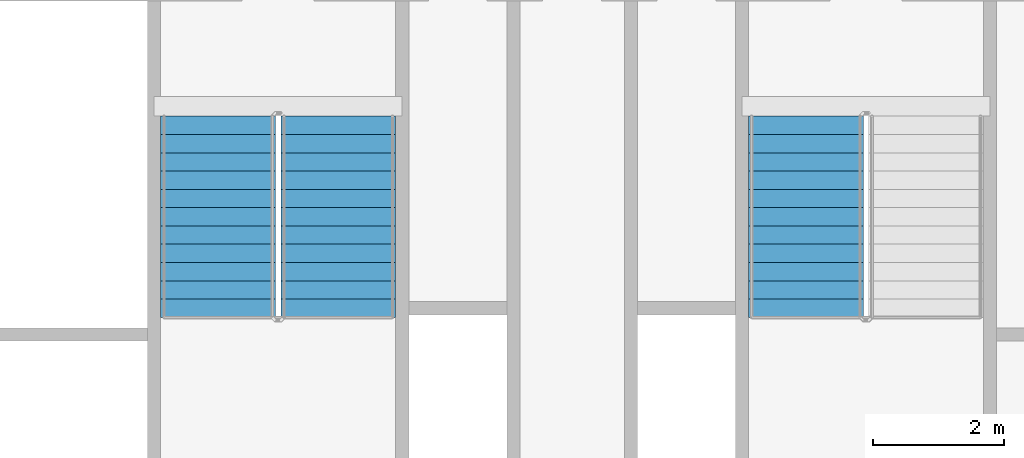
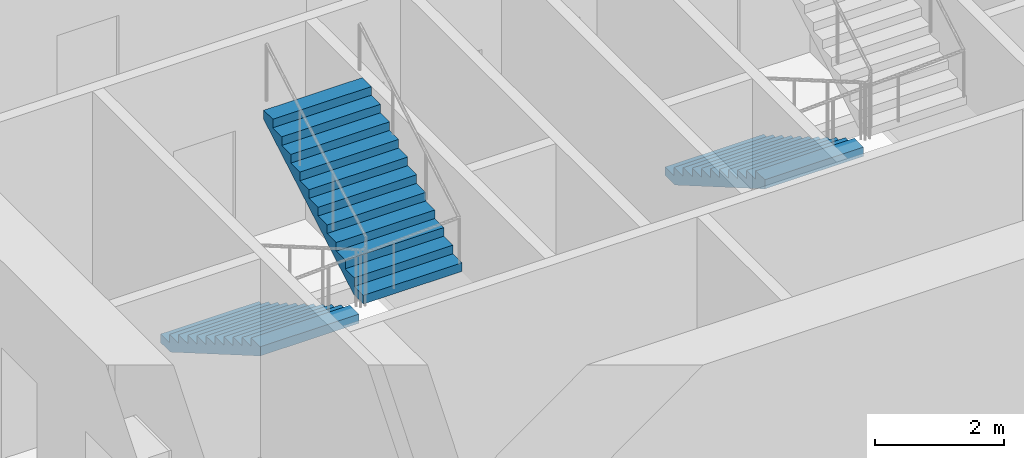
# One storey, part 8 of 15: 3 stair flights, 2 elements without a shape of their own.
"""IFC4 building model written with IfcOpenShell, lengths in metres."""

from ifc_helpers import new_model, si_unit, direction, frame, origin, place, context, subcontext, project, spatial, faceted_brep, material, type_object, element, aggregate, save


model = new_model("IFC4")

# Units and contexts
model_context = context("Model", 3, precision=1e-05, world=origin(), true_north=direction((0.0, 1.0)))
body_context = subcontext(model_context, "Body", "Model", "MODEL_VIEW")
ifc_project = project(units=[si_unit("LENGTHUNIT", "METRE"), si_unit("AREAUNIT", "SQUARE_METRE"), si_unit("VOLUMEUNIT", "CUBIC_METRE"), si_unit("PLANEANGLEUNIT", "RADIAN"), si_unit("MASSUNIT", "GRAM", prefix="KILO")], contexts=[model_context])

# Site, building, storey
site_placement = place(None, origin())
site = spatial("IfcSite", under=ifc_project, at=site_placement, CompositionType="ELEMENT")
building_placement = place(site_placement, origin())
building = spatial("IfcBuilding", under=site, at=building_placement, Name="Tarsis Ring Headquarters", CompositionType="ELEMENT")
storey_placement = place(building_placement, frame((0.0, 0.0, 43.89990234375)))
storey = spatial("IfcBuildingStorey", under=building, at=storey_placement, Name="L08", CompositionType="ELEMENT", Elevation=43.89990234375)

# Stair, stair flights
ifc_material_1 = material(Name="Core stair 1760")
stair_type = type_object("IfcStairType", Name="Core stair 1760", PredefinedType="HALF_TURN_STAIR", material=ifc_material_1)
stair_1_placement = place(storey_placement, origin())
stair_1 = element("IfcStair", 1, at=stair_1_placement, inside=storey, type_object=stair_type, Name="L08 Exit stair C", PredefinedType="HALF_TURN_STAIR")
ifc_material_2 = material(Name="Concrete C40/50", Category="concrete")
stair_flight_type = type_object("IfcStairFlightType", Name="Core stair flight 1760", PredefinedType="STRAIGHT", material=ifc_material_2)
stair_flight_1_placement = place(storey_placement, frame((-5.419921875, -3.659912109375, 0.0), z_axis=(0.0, 0.0, 1.0), x_axis=(0.0, -1.0, 0.0)))
stair_flight_1 = element("IfcStairFlight", 2, at=stair_flight_1_placement, type_object=stair_flight_type, Name="Stair ST3 flight 1", NumberOfRisers=12, NumberOfTreads=11, PredefinedType="STRAIGHT", RiserHeight=0.1625, TreadLength=0.28, context=body_context, shape_type="Brep", body=[
    faceted_brep([(0.0, 0.8798828125, 0.0), (0.0, 0.8798828125, 0.16259765625), (0.280029296875, 0.8798828125, 0.16259765625), (0.280029296875, 0.8798828125, 0.324951171875), (0.56005859375, 0.8798828125, 0.324951171875), (0.56005859375, 0.8798828125, 0.487548828125), (0.840087890625, 0.8798828125, 0.487548828125), (0.840087890625, 0.8798828125, 0.64990234375), (1.1201171875, 0.8798828125, 0.64990234375), (1.1201171875, 0.8798828125, 0.8125), (1.39990234375, 0.8798828125, 0.8125), (1.39990234375, 0.8798828125, 0.97509765625), (1.679931640625, 0.8798828125, 0.97509765625), (1.679931640625, 0.8798828125, 1.137451171875), (1.9599609375, 0.8798828125, 1.137451171875), (1.9599609375, 0.8798828125, 1.300048828125), (2.239990234375, 0.8798828125, 1.300048828125), (2.239990234375, 0.8798828125, 1.46240234375), (2.52001953125, 0.8798828125, 1.46240234375), (2.52001953125, 0.8798828125, 1.625), (2.800048828125, 0.8798828125, 1.625), (2.800048828125, 0.8798828125, 1.78759765625), (3.080078125, 0.8798828125, 1.78759765625), (3.080078125, 0.8798828125, 1.6142578125), (0.298583984375, 0.8798828125, 0.0), (0.298583984375, -0.8798828125, 0.0), (3.080078125, -0.8798828125, 1.6142578125), (3.080078125, -0.8798828125, 1.78759765625), (2.800048828125, -0.8798828125, 1.78759765625), (2.800048828125, -0.8798828125, 1.625), (2.52001953125, -0.8798828125, 1.625), (2.52001953125, -0.8798828125, 1.46240234375), (2.239990234375, -0.8798828125, 1.46240234375), (2.239990234375, -0.8798828125, 1.300048828125), (1.9599609375, -0.8798828125, 1.300048828125), (1.9599609375, -0.8798828125, 1.137451171875), (1.679931640625, -0.8798828125, 1.137451171875), (1.679931640625, -0.8798828125, 0.97509765625), (1.39990234375, -0.8798828125, 0.97509765625), (1.39990234375, -0.8798828125, 0.8125), (1.1201171875, -0.8798828125, 0.8125), (1.1201171875, -0.8798828125, 0.64990234375), (0.840087890625, -0.8798828125, 0.64990234375), (0.840087890625, -0.8798828125, 0.487548828125), (0.56005859375, -0.8798828125, 0.487548828125), (0.56005859375, -0.8798828125, 0.324951171875), (0.280029296875, -0.8798828125, 0.324951171875), (0.280029296875, -0.8798828125, 0.16259765625), (0.0, -0.8798828125, 0.16259765625), (0.0, -0.8798828125, 0.0), (0.0, -0.43994140625, 0.16259765625), (0.0, -0.43994140625, 0.0), (0.0, 0.0, 0.16259765625), (0.0, 0.0, 0.0), (0.0, 0.43994140625, 0.16259765625), (0.0, 0.43994140625, 0.0), (0.280029296875, -0.43994140625, 0.16259765625), (0.280029296875, 0.0, 0.16259765625), (0.280029296875, 0.43994140625, 0.16259765625), (0.280029296875, -0.43994140625, 0.324951171875), (0.280029296875, 0.0, 0.324951171875), (0.280029296875, 0.43994140625, 0.324951171875), (0.56005859375, -0.43994140625, 0.324951171875), (0.56005859375, 0.0, 0.324951171875), (0.56005859375, 0.43994140625, 0.324951171875), (0.56005859375, -0.43994140625, 0.487548828125), (0.56005859375, 0.0, 0.487548828125), (0.56005859375, 0.43994140625, 0.487548828125), (0.840087890625, -0.43994140625, 0.487548828125), (0.840087890625, 0.0, 0.487548828125), (0.840087890625, 0.43994140625, 0.487548828125), (0.840087890625, -0.43994140625, 0.64990234375), (0.840087890625, 0.0, 0.64990234375), (0.840087890625, 0.43994140625, 0.64990234375), (1.1201171875, -0.43994140625, 0.64990234375), (1.1201171875, 0.0, 0.64990234375), (1.1201171875, 0.43994140625, 0.64990234375), (1.1201171875, -0.43994140625, 0.8125), (1.1201171875, 0.0, 0.8125), (1.1201171875, 0.43994140625, 0.8125), (1.39990234375, -0.43994140625, 0.8125), (1.39990234375, 0.0, 0.8125), (1.39990234375, 0.43994140625, 0.8125), (1.39990234375, -0.43994140625, 0.97509765625), (1.39990234375, 0.0, 0.97509765625), (1.39990234375, 0.43994140625, 0.97509765625), (1.679931640625, -0.43994140625, 0.97509765625), (1.679931640625, 0.0, 0.97509765625), (1.679931640625, 0.43994140625, 0.97509765625), (1.679931640625, -0.43994140625, 1.137451171875), (1.679931640625, 0.0, 1.137451171875), (1.679931640625, 0.43994140625, 1.137451171875), (1.9599609375, -0.43994140625, 1.137451171875), (1.9599609375, 0.0, 1.137451171875), (1.9599609375, 0.43994140625, 1.137451171875), (1.9599609375, -0.43994140625, 1.300048828125), (1.9599609375, 0.0, 1.300048828125), (1.9599609375, 0.43994140625, 1.300048828125), (2.239990234375, -0.43994140625, 1.300048828125), (2.239990234375, 0.0, 1.300048828125), (2.239990234375, 0.43994140625, 1.300048828125), (2.239990234375, -0.43994140625, 1.46240234375), (2.239990234375, 0.0, 1.46240234375), (2.239990234375, 0.43994140625, 1.46240234375), (2.52001953125, -0.43994140625, 1.46240234375), (2.52001953125, 0.0, 1.46240234375), (2.52001953125, 0.43994140625, 1.46240234375), (2.52001953125, -0.43994140625, 1.625), (2.52001953125, 0.0, 1.625), (2.52001953125, 0.43994140625, 1.625), (2.800048828125, -0.43994140625, 1.625), (2.800048828125, 0.0, 1.625), (2.800048828125, 0.43994140625, 1.625), (2.800048828125, -0.43994140625, 1.78759765625), (2.800048828125, 0.0, 1.78759765625), (2.800048828125, 0.43994140625, 1.78759765625), (3.080078125, -0.43994140625, 1.78759765625), (3.080078125, 0.0, 1.78759765625), (3.080078125, 0.43994140625, 1.78759765625), (3.080078125, -0.43994140625, 1.6142578125), (3.080078125, 0.0, 1.6142578125), (3.080078125, 0.43994140625, 1.6142578125), (0.298583984375, -0.43994140625, 0.0), (0.298583984375, 0.0, 0.0), (0.298583984375, 0.43994140625, 0.0)], [[[0, 1, 2, 3, 4, 5, 6, 7, 8, 9, 10, 11, 12, 13, 14, 15, 16, 17, 18, 19, 20, 21, 22, 23, 24]], [[25, 26, 27, 28, 29, 30, 31, 32, 33, 34, 35, 36, 37, 38, 39, 40, 41, 42, 43, 44, 45, 46, 47, 48, 49]], [[49, 48, 50, 51]], [[51, 50, 52, 53]], [[53, 52, 54, 55]], [[55, 54, 1, 0]], [[48, 47, 56, 50]], [[50, 56, 57, 52]], [[52, 57, 58, 54]], [[54, 58, 2, 1]], [[47, 46, 59, 56]], [[56, 59, 60, 57]], [[57, 60, 61, 58]], [[58, 61, 3, 2]], [[46, 45, 62, 59]], [[59, 62, 63, 60]], [[60, 63, 64, 61]], [[61, 64, 4, 3]], [[45, 44, 65, 62]], [[62, 65, 66, 63]], [[63, 66, 67, 64]], [[64, 67, 5, 4]], [[44, 43, 68, 65]], [[65, 68, 69, 66]], [[66, 69, 70, 67]], [[67, 70, 6, 5]], [[43, 42, 71, 68]], [[68, 71, 72, 69]], [[69, 72, 73, 70]], [[70, 73, 7, 6]], [[42, 41, 74, 71]], [[71, 74, 75, 72]], [[72, 75, 76, 73]], [[73, 76, 8, 7]], [[41, 40, 77, 74]], [[74, 77, 78, 75]], [[75, 78, 79, 76]], [[76, 79, 9, 8]], [[40, 39, 80, 77]], [[77, 80, 81, 78]], [[78, 81, 82, 79]], [[79, 82, 10, 9]], [[39, 38, 83, 80]], [[80, 83, 84, 81]], [[81, 84, 85, 82]], [[82, 85, 11, 10]], [[38, 37, 86, 83]], [[83, 86, 87, 84]], [[84, 87, 88, 85]], [[85, 88, 12, 11]], [[37, 36, 89, 86]], [[86, 89, 90, 87]], [[87, 90, 91, 88]], [[88, 91, 13, 12]], [[36, 35, 92, 89]], [[89, 92, 93, 90]], [[90, 93, 94, 91]], [[91, 94, 14, 13]], [[35, 34, 95, 92]], [[92, 95, 96, 93]], [[93, 96, 97, 94]], [[94, 97, 15, 14]], [[34, 33, 98, 95]], [[95, 98, 99, 96]], [[96, 99, 100, 97]], [[97, 100, 16, 15]], [[33, 32, 101, 98]], [[98, 101, 102, 99]], [[99, 102, 103, 100]], [[100, 103, 17, 16]], [[32, 31, 104, 101]], [[101, 104, 105, 102]], [[102, 105, 106, 103]], [[103, 106, 18, 17]], [[31, 30, 107, 104]], [[104, 107, 108, 105]], [[105, 108, 109, 106]], [[106, 109, 19, 18]], [[30, 29, 110, 107]], [[107, 110, 111, 108]], [[108, 111, 112, 109]], [[109, 112, 20, 19]], [[29, 28, 113, 110]], [[110, 113, 114, 111]], [[111, 114, 115, 112]], [[112, 115, 21, 20]], [[28, 27, 116, 113]], [[113, 116, 117, 114]], [[114, 117, 118, 115]], [[115, 118, 22, 21]], [[27, 26, 119, 116]], [[116, 119, 120, 117]], [[117, 120, 121, 118]], [[118, 121, 23, 22]], [[26, 25, 122, 119]], [[119, 122, 123, 120]], [[120, 123, 124, 121]], [[121, 124, 24, 23]], [[25, 49, 51, 122]], [[122, 51, 53, 123]], [[123, 53, 55, 124]], [[124, 55, 0, 24]]]),
])
stair_flight_2_placement = place(storey_placement, frame((-3.580078125, -6.739990234375, 1.9501953125), z_axis=(0.0, 0.0, 1.0), x_axis=(0.0, 1.0, 0.0)))
stair_flight_2 = element("IfcStairFlight", 3, at=stair_flight_2_placement, type_object=stair_flight_type, Name="Stair ST3 flight 2", NumberOfRisers=12, NumberOfTreads=11, PredefinedType="STRAIGHT", RiserHeight=0.1625, TreadLength=0.28, context=body_context, shape_type="Brep", body=[
    faceted_brep([(0.0, 0.8798828125, 0.0), (0.0, 0.8798828125, 0.16259765625), (0.280029296875, 0.8798828125, 0.16259765625), (0.280029296875, 0.8798828125, 0.324951171875), (0.56005859375, 0.8798828125, 0.324951171875), (0.56005859375, 0.8798828125, 0.487548828125), (0.840087890625, 0.8798828125, 0.487548828125), (0.840087890625, 0.8798828125, 0.64990234375), (1.1201171875, 0.8798828125, 0.64990234375), (1.1201171875, 0.8798828125, 0.8125), (1.39990234375, 0.8798828125, 0.8125), (1.39990234375, 0.8798828125, 0.97509765625), (1.679931640625, 0.8798828125, 0.97509765625), (1.679931640625, 0.8798828125, 1.137451171875), (1.9599609375, 0.8798828125, 1.137451171875), (1.9599609375, 0.8798828125, 1.300048828125), (2.239990234375, 0.8798828125, 1.300048828125), (2.239990234375, 0.8798828125, 1.46240234375), (2.52001953125, 0.8798828125, 1.46240234375), (2.52001953125, 0.8798828125, 1.625), (2.800048828125, 0.8798828125, 1.625), (2.800048828125, 0.8798828125, 1.78759765625), (3.080078125, 0.8798828125, 1.78759765625), (3.080078125, 0.8798828125, 1.6142578125), (0.298583984375, 0.8798828125, 0.0), (0.298583984375, -0.8798828125, 0.0), (3.080078125, -0.8798828125, 1.6142578125), (3.080078125, -0.8798828125, 1.78759765625), (2.800048828125, -0.8798828125, 1.78759765625), (2.800048828125, -0.8798828125, 1.625), (2.52001953125, -0.8798828125, 1.625), (2.52001953125, -0.8798828125, 1.46240234375), (2.239990234375, -0.8798828125, 1.46240234375), (2.239990234375, -0.8798828125, 1.300048828125), (1.9599609375, -0.8798828125, 1.300048828125), (1.9599609375, -0.8798828125, 1.137451171875), (1.679931640625, -0.8798828125, 1.137451171875), (1.679931640625, -0.8798828125, 0.97509765625), (1.39990234375, -0.8798828125, 0.97509765625), (1.39990234375, -0.8798828125, 0.8125), (1.1201171875, -0.8798828125, 0.8125), (1.1201171875, -0.8798828125, 0.64990234375), (0.840087890625, -0.8798828125, 0.64990234375), (0.840087890625, -0.8798828125, 0.487548828125), (0.56005859375, -0.8798828125, 0.487548828125), (0.56005859375, -0.8798828125, 0.324951171875), (0.280029296875, -0.8798828125, 0.324951171875), (0.280029296875, -0.8798828125, 0.16259765625), (0.0, -0.8798828125, 0.16259765625), (0.0, -0.8798828125, 0.0), (0.0, -0.43994140625, 0.16259765625), (0.0, -0.43994140625, 0.0), (0.0, 0.0, 0.16259765625), (0.0, 0.0, 0.0), (0.0, 0.43994140625, 0.16259765625), (0.0, 0.43994140625, 0.0), (0.280029296875, -0.43994140625, 0.16259765625), (0.280029296875, 0.0, 0.16259765625), (0.280029296875, 0.43994140625, 0.16259765625), (0.280029296875, -0.43994140625, 0.324951171875), (0.280029296875, 0.0, 0.324951171875), (0.280029296875, 0.43994140625, 0.324951171875), (0.56005859375, -0.43994140625, 0.324951171875), (0.56005859375, 0.0, 0.324951171875), (0.56005859375, 0.43994140625, 0.324951171875), (0.56005859375, -0.43994140625, 0.487548828125), (0.56005859375, 0.0, 0.487548828125), (0.56005859375, 0.43994140625, 0.487548828125), (0.840087890625, -0.43994140625, 0.487548828125), (0.840087890625, 0.0, 0.487548828125), (0.840087890625, 0.43994140625, 0.487548828125), (0.840087890625, -0.43994140625, 0.64990234375), (0.840087890625, 0.0, 0.64990234375), (0.840087890625, 0.43994140625, 0.64990234375), (1.1201171875, -0.43994140625, 0.64990234375), (1.1201171875, 0.0, 0.64990234375), (1.1201171875, 0.43994140625, 0.64990234375), (1.1201171875, -0.43994140625, 0.8125), (1.1201171875, 0.0, 0.8125), (1.1201171875, 0.43994140625, 0.8125), (1.39990234375, -0.43994140625, 0.8125), (1.39990234375, 0.0, 0.8125), (1.39990234375, 0.43994140625, 0.8125), (1.39990234375, -0.43994140625, 0.97509765625), (1.39990234375, 0.0, 0.97509765625), (1.39990234375, 0.43994140625, 0.97509765625), (1.679931640625, -0.43994140625, 0.97509765625), (1.679931640625, 0.0, 0.97509765625), (1.679931640625, 0.43994140625, 0.97509765625), (1.679931640625, -0.43994140625, 1.137451171875), (1.679931640625, 0.0, 1.137451171875), (1.679931640625, 0.43994140625, 1.137451171875), (1.9599609375, -0.43994140625, 1.137451171875), (1.9599609375, 0.0, 1.137451171875), (1.9599609375, 0.43994140625, 1.137451171875), (1.9599609375, -0.43994140625, 1.300048828125), (1.9599609375, 0.0, 1.300048828125), (1.9599609375, 0.43994140625, 1.300048828125), (2.239990234375, -0.43994140625, 1.300048828125), (2.239990234375, 0.0, 1.300048828125), (2.239990234375, 0.43994140625, 1.300048828125), (2.239990234375, -0.43994140625, 1.46240234375), (2.239990234375, 0.0, 1.46240234375), (2.239990234375, 0.43994140625, 1.46240234375), (2.52001953125, -0.43994140625, 1.46240234375), (2.52001953125, 0.0, 1.46240234375), (2.52001953125, 0.43994140625, 1.46240234375), (2.52001953125, -0.43994140625, 1.625), (2.52001953125, 0.0, 1.625), (2.52001953125, 0.43994140625, 1.625), (2.800048828125, -0.43994140625, 1.625), (2.800048828125, 0.0, 1.625), (2.800048828125, 0.43994140625, 1.625), (2.800048828125, -0.43994140625, 1.78759765625), (2.800048828125, 0.0, 1.78759765625), (2.800048828125, 0.43994140625, 1.78759765625), (3.080078125, -0.43994140625, 1.78759765625), (3.080078125, 0.0, 1.78759765625), (3.080078125, 0.43994140625, 1.78759765625), (3.080078125, -0.43994140625, 1.6142578125), (3.080078125, 0.0, 1.6142578125), (3.080078125, 0.43994140625, 1.6142578125), (0.298583984375, -0.43994140625, 0.0), (0.298583984375, 0.0, 0.0), (0.298583984375, 0.43994140625, 0.0)], [[[0, 1, 2, 3, 4, 5, 6, 7, 8, 9, 10, 11, 12, 13, 14, 15, 16, 17, 18, 19, 20, 21, 22, 23, 24]], [[25, 26, 27, 28, 29, 30, 31, 32, 33, 34, 35, 36, 37, 38, 39, 40, 41, 42, 43, 44, 45, 46, 47, 48, 49]], [[49, 48, 50, 51]], [[51, 50, 52, 53]], [[53, 52, 54, 55]], [[55, 54, 1, 0]], [[48, 47, 56, 50]], [[50, 56, 57, 52]], [[52, 57, 58, 54]], [[54, 58, 2, 1]], [[47, 46, 59, 56]], [[56, 59, 60, 57]], [[57, 60, 61, 58]], [[58, 61, 3, 2]], [[46, 45, 62, 59]], [[59, 62, 63, 60]], [[60, 63, 64, 61]], [[61, 64, 4, 3]], [[45, 44, 65, 62]], [[62, 65, 66, 63]], [[63, 66, 67, 64]], [[64, 67, 5, 4]], [[44, 43, 68, 65]], [[65, 68, 69, 66]], [[66, 69, 70, 67]], [[67, 70, 6, 5]], [[43, 42, 71, 68]], [[68, 71, 72, 69]], [[69, 72, 73, 70]], [[70, 73, 7, 6]], [[42, 41, 74, 71]], [[71, 74, 75, 72]], [[72, 75, 76, 73]], [[73, 76, 8, 7]], [[41, 40, 77, 74]], [[74, 77, 78, 75]], [[75, 78, 79, 76]], [[76, 79, 9, 8]], [[40, 39, 80, 77]], [[77, 80, 81, 78]], [[78, 81, 82, 79]], [[79, 82, 10, 9]], [[39, 38, 83, 80]], [[80, 83, 84, 81]], [[81, 84, 85, 82]], [[82, 85, 11, 10]], [[38, 37, 86, 83]], [[83, 86, 87, 84]], [[84, 87, 88, 85]], [[85, 88, 12, 11]], [[37, 36, 89, 86]], [[86, 89, 90, 87]], [[87, 90, 91, 88]], [[88, 91, 13, 12]], [[36, 35, 92, 89]], [[89, 92, 93, 90]], [[90, 93, 94, 91]], [[91, 94, 14, 13]], [[35, 34, 95, 92]], [[92, 95, 96, 93]], [[93, 96, 97, 94]], [[94, 97, 15, 14]], [[34, 33, 98, 95]], [[95, 98, 99, 96]], [[96, 99, 100, 97]], [[97, 100, 16, 15]], [[33, 32, 101, 98]], [[98, 101, 102, 99]], [[99, 102, 103, 100]], [[100, 103, 17, 16]], [[32, 31, 104, 101]], [[101, 104, 105, 102]], [[102, 105, 106, 103]], [[103, 106, 18, 17]], [[31, 30, 107, 104]], [[104, 107, 108, 105]], [[105, 108, 109, 106]], [[106, 109, 19, 18]], [[30, 29, 110, 107]], [[107, 110, 111, 108]], [[108, 111, 112, 109]], [[109, 112, 20, 19]], [[29, 28, 113, 110]], [[110, 113, 114, 111]], [[111, 114, 115, 112]], [[112, 115, 21, 20]], [[28, 27, 116, 113]], [[113, 116, 117, 114]], [[114, 117, 118, 115]], [[115, 118, 22, 21]], [[27, 26, 119, 116]], [[116, 119, 120, 117]], [[117, 120, 121, 118]], [[118, 121, 23, 22]], [[26, 25, 122, 119]], [[119, 122, 123, 120]], [[120, 123, 124, 121]], [[121, 124, 24, 23]], [[25, 49, 51, 122]], [[122, 51, 53, 123]], [[123, 53, 55, 124]], [[124, 55, 0, 24]]]),
])
aggregate(stair_1, [stair_flight_1, stair_flight_2])

# Stair, stair flight
stair_2_placement = place(storey_placement, origin())
stair_2 = element("IfcStair", 4, at=stair_2_placement, inside=storey, type_object=stair_type, Name="L08 Exit stair D", PredefinedType="HALF_TURN_STAIR")
stair_flight_3_placement = place(storey_placement, frame((3.580078125, -3.659912109375, 0.0), z_axis=(0.0, 0.0, 1.0), x_axis=(0.0, -1.0, 0.0)))
stair_flight_3 = element("IfcStairFlight", 5, at=stair_flight_3_placement, type_object=stair_flight_type, Name="Stair ST4 flight 1", NumberOfRisers=12, NumberOfTreads=11, PredefinedType="STRAIGHT", RiserHeight=0.1625, TreadLength=0.28, context=body_context, shape_type="Brep", body=[
    faceted_brep([(0.0, 0.8798828125, 0.0), (0.0, 0.8798828125, 0.16259765625), (0.280029296875, 0.8798828125, 0.16259765625), (0.280029296875, 0.8798828125, 0.324951171875), (0.56005859375, 0.8798828125, 0.324951171875), (0.56005859375, 0.8798828125, 0.487548828125), (0.840087890625, 0.8798828125, 0.487548828125), (0.840087890625, 0.8798828125, 0.64990234375), (1.1201171875, 0.8798828125, 0.64990234375), (1.1201171875, 0.8798828125, 0.8125), (1.39990234375, 0.8798828125, 0.8125), (1.39990234375, 0.8798828125, 0.97509765625), (1.679931640625, 0.8798828125, 0.97509765625), (1.679931640625, 0.8798828125, 1.137451171875), (1.9599609375, 0.8798828125, 1.137451171875), (1.9599609375, 0.8798828125, 1.300048828125), (2.239990234375, 0.8798828125, 1.300048828125), (2.239990234375, 0.8798828125, 1.46240234375), (2.52001953125, 0.8798828125, 1.46240234375), (2.52001953125, 0.8798828125, 1.625), (2.800048828125, 0.8798828125, 1.625), (2.800048828125, 0.8798828125, 1.78759765625), (3.080078125, 0.8798828125, 1.78759765625), (3.080078125, 0.8798828125, 1.6142578125), (0.298583984375, 0.8798828125, 0.0), (0.298583984375, -0.8798828125, 0.0), (3.080078125, -0.8798828125, 1.6142578125), (3.080078125, -0.8798828125, 1.78759765625), (2.800048828125, -0.8798828125, 1.78759765625), (2.800048828125, -0.8798828125, 1.625), (2.52001953125, -0.8798828125, 1.625), (2.52001953125, -0.8798828125, 1.46240234375), (2.239990234375, -0.8798828125, 1.46240234375), (2.239990234375, -0.8798828125, 1.300048828125), (1.9599609375, -0.8798828125, 1.300048828125), (1.9599609375, -0.8798828125, 1.137451171875), (1.679931640625, -0.8798828125, 1.137451171875), (1.679931640625, -0.8798828125, 0.97509765625), (1.39990234375, -0.8798828125, 0.97509765625), (1.39990234375, -0.8798828125, 0.8125), (1.1201171875, -0.8798828125, 0.8125), (1.1201171875, -0.8798828125, 0.64990234375), (0.840087890625, -0.8798828125, 0.64990234375), (0.840087890625, -0.8798828125, 0.487548828125), (0.56005859375, -0.8798828125, 0.487548828125), (0.56005859375, -0.8798828125, 0.324951171875), (0.280029296875, -0.8798828125, 0.324951171875), (0.280029296875, -0.8798828125, 0.16259765625), (0.0, -0.8798828125, 0.16259765625), (0.0, -0.8798828125, 0.0), (0.0, -0.43994140625, 0.16259765625), (0.0, -0.43994140625, 0.0), (0.0, 0.0, 0.16259765625), (0.0, 0.0, 0.0), (0.0, 0.43994140625, 0.16259765625), (0.0, 0.43994140625, 0.0), (0.280029296875, -0.43994140625, 0.16259765625), (0.280029296875, 0.0, 0.16259765625), (0.280029296875, 0.43994140625, 0.16259765625), (0.280029296875, -0.43994140625, 0.324951171875), (0.280029296875, 0.0, 0.324951171875), (0.280029296875, 0.43994140625, 0.324951171875), (0.56005859375, -0.43994140625, 0.324951171875), (0.56005859375, 0.0, 0.324951171875), (0.56005859375, 0.43994140625, 0.324951171875), (0.56005859375, -0.43994140625, 0.487548828125), (0.56005859375, 0.0, 0.487548828125), (0.56005859375, 0.43994140625, 0.487548828125), (0.840087890625, -0.43994140625, 0.487548828125), (0.840087890625, 0.0, 0.487548828125), (0.840087890625, 0.43994140625, 0.487548828125), (0.840087890625, -0.43994140625, 0.64990234375), (0.840087890625, 0.0, 0.64990234375), (0.840087890625, 0.43994140625, 0.64990234375), (1.1201171875, -0.43994140625, 0.64990234375), (1.1201171875, 0.0, 0.64990234375), (1.1201171875, 0.43994140625, 0.64990234375), (1.1201171875, -0.43994140625, 0.8125), (1.1201171875, 0.0, 0.8125), (1.1201171875, 0.43994140625, 0.8125), (1.39990234375, -0.43994140625, 0.8125), (1.39990234375, 0.0, 0.8125), (1.39990234375, 0.43994140625, 0.8125), (1.39990234375, -0.43994140625, 0.97509765625), (1.39990234375, 0.0, 0.97509765625), (1.39990234375, 0.43994140625, 0.97509765625), (1.679931640625, -0.43994140625, 0.97509765625), (1.679931640625, 0.0, 0.97509765625), (1.679931640625, 0.43994140625, 0.97509765625), (1.679931640625, -0.43994140625, 1.137451171875), (1.679931640625, 0.0, 1.137451171875), (1.679931640625, 0.43994140625, 1.137451171875), (1.9599609375, -0.43994140625, 1.137451171875), (1.9599609375, 0.0, 1.137451171875), (1.9599609375, 0.43994140625, 1.137451171875), (1.9599609375, -0.43994140625, 1.300048828125), (1.9599609375, 0.0, 1.300048828125), (1.9599609375, 0.43994140625, 1.300048828125), (2.239990234375, -0.43994140625, 1.300048828125), (2.239990234375, 0.0, 1.300048828125), (2.239990234375, 0.43994140625, 1.300048828125), (2.239990234375, -0.43994140625, 1.46240234375), (2.239990234375, 0.0, 1.46240234375), (2.239990234375, 0.43994140625, 1.46240234375), (2.52001953125, -0.43994140625, 1.46240234375), (2.52001953125, 0.0, 1.46240234375), (2.52001953125, 0.43994140625, 1.46240234375), (2.52001953125, -0.43994140625, 1.625), (2.52001953125, 0.0, 1.625), (2.52001953125, 0.43994140625, 1.625), (2.800048828125, -0.43994140625, 1.625), (2.800048828125, 0.0, 1.625), (2.800048828125, 0.43994140625, 1.625), (2.800048828125, -0.43994140625, 1.78759765625), (2.800048828125, 0.0, 1.78759765625), (2.800048828125, 0.43994140625, 1.78759765625), (3.080078125, -0.43994140625, 1.78759765625), (3.080078125, 0.0, 1.78759765625), (3.080078125, 0.43994140625, 1.78759765625), (3.080078125, -0.43994140625, 1.6142578125), (3.080078125, 0.0, 1.6142578125), (3.080078125, 0.43994140625, 1.6142578125), (0.298583984375, -0.43994140625, 0.0), (0.298583984375, 0.0, 0.0), (0.298583984375, 0.43994140625, 0.0)], [[[0, 1, 2, 3, 4, 5, 6, 7, 8, 9, 10, 11, 12, 13, 14, 15, 16, 17, 18, 19, 20, 21, 22, 23, 24]], [[25, 26, 27, 28, 29, 30, 31, 32, 33, 34, 35, 36, 37, 38, 39, 40, 41, 42, 43, 44, 45, 46, 47, 48, 49]], [[49, 48, 50, 51]], [[51, 50, 52, 53]], [[53, 52, 54, 55]], [[55, 54, 1, 0]], [[48, 47, 56, 50]], [[50, 56, 57, 52]], [[52, 57, 58, 54]], [[54, 58, 2, 1]], [[47, 46, 59, 56]], [[56, 59, 60, 57]], [[57, 60, 61, 58]], [[58, 61, 3, 2]], [[46, 45, 62, 59]], [[59, 62, 63, 60]], [[60, 63, 64, 61]], [[61, 64, 4, 3]], [[45, 44, 65, 62]], [[62, 65, 66, 63]], [[63, 66, 67, 64]], [[64, 67, 5, 4]], [[44, 43, 68, 65]], [[65, 68, 69, 66]], [[66, 69, 70, 67]], [[67, 70, 6, 5]], [[43, 42, 71, 68]], [[68, 71, 72, 69]], [[69, 72, 73, 70]], [[70, 73, 7, 6]], [[42, 41, 74, 71]], [[71, 74, 75, 72]], [[72, 75, 76, 73]], [[73, 76, 8, 7]], [[41, 40, 77, 74]], [[74, 77, 78, 75]], [[75, 78, 79, 76]], [[76, 79, 9, 8]], [[40, 39, 80, 77]], [[77, 80, 81, 78]], [[78, 81, 82, 79]], [[79, 82, 10, 9]], [[39, 38, 83, 80]], [[80, 83, 84, 81]], [[81, 84, 85, 82]], [[82, 85, 11, 10]], [[38, 37, 86, 83]], [[83, 86, 87, 84]], [[84, 87, 88, 85]], [[85, 88, 12, 11]], [[37, 36, 89, 86]], [[86, 89, 90, 87]], [[87, 90, 91, 88]], [[88, 91, 13, 12]], [[36, 35, 92, 89]], [[89, 92, 93, 90]], [[90, 93, 94, 91]], [[91, 94, 14, 13]], [[35, 34, 95, 92]], [[92, 95, 96, 93]], [[93, 96, 97, 94]], [[94, 97, 15, 14]], [[34, 33, 98, 95]], [[95, 98, 99, 96]], [[96, 99, 100, 97]], [[97, 100, 16, 15]], [[33, 32, 101, 98]], [[98, 101, 102, 99]], [[99, 102, 103, 100]], [[100, 103, 17, 16]], [[32, 31, 104, 101]], [[101, 104, 105, 102]], [[102, 105, 106, 103]], [[103, 106, 18, 17]], [[31, 30, 107, 104]], [[104, 107, 108, 105]], [[105, 108, 109, 106]], [[106, 109, 19, 18]], [[30, 29, 110, 107]], [[107, 110, 111, 108]], [[108, 111, 112, 109]], [[109, 112, 20, 19]], [[29, 28, 113, 110]], [[110, 113, 114, 111]], [[111, 114, 115, 112]], [[112, 115, 21, 20]], [[28, 27, 116, 113]], [[113, 116, 117, 114]], [[114, 117, 118, 115]], [[115, 118, 22, 21]], [[27, 26, 119, 116]], [[116, 119, 120, 117]], [[117, 120, 121, 118]], [[118, 121, 23, 22]], [[26, 25, 122, 119]], [[119, 122, 123, 120]], [[120, 123, 124, 121]], [[121, 124, 24, 23]], [[25, 49, 51, 122]], [[122, 51, 53, 123]], [[123, 53, 55, 124]], [[124, 55, 0, 24]]]),
])
aggregate(stair_2, [stair_flight_3])

save(model, "model.ifc")
